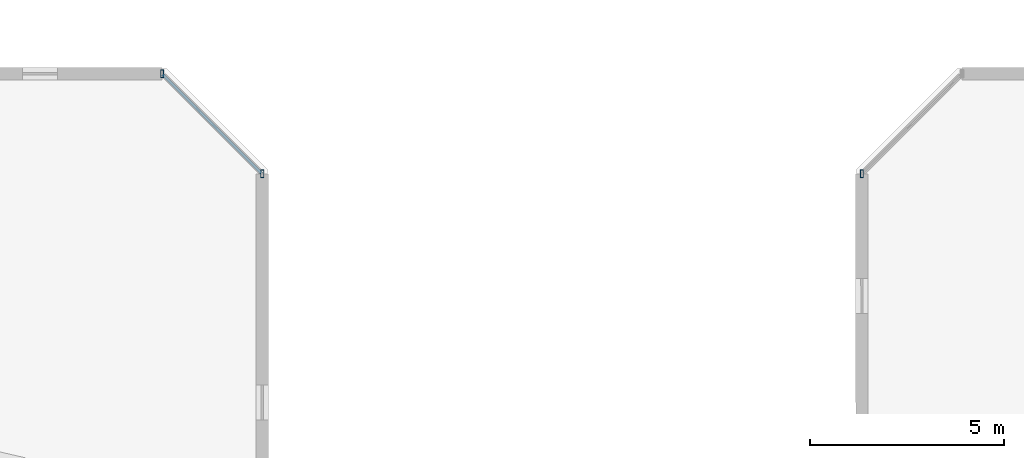
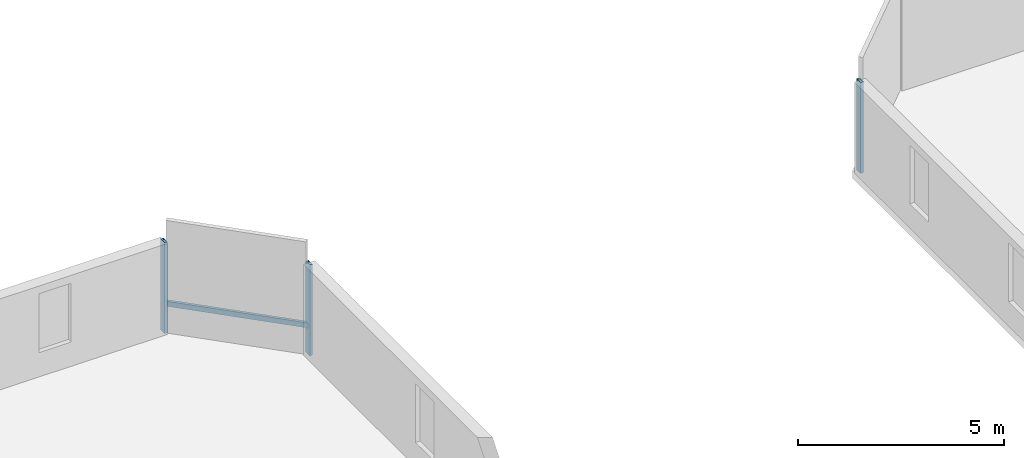
# One storey, part 10 of 32: 4 members, 2 elements without a shape of their own.
"""IFC4 building model written with IfcOpenShell, lengths in metres."""

from ifc_helpers import new_model, si_unit, direction, frame, origin, origin_2d, place, context, subcontext, project, spatial, hollow_rectangle, extrude, material, material_profile, profile_set, type_object, element, aggregate, save


model = new_model("IFC4")

# Units and contexts
model_context = context("Model", 3, precision=1e-05, world=origin(), true_north=direction((0.0, 1.0)))
body_context = subcontext(model_context, "Body", "Model", "MODEL_VIEW")
ifc_project = project(units=[si_unit("LENGTHUNIT", "METRE"), si_unit("AREAUNIT", "SQUARE_METRE"), si_unit("VOLUMEUNIT", "CUBIC_METRE"), si_unit("PLANEANGLEUNIT", "RADIAN"), si_unit("MASSUNIT", "GRAM", prefix="KILO")], contexts=[model_context])

# Site, building, storey
site_placement = place(None, origin())
site = spatial("IfcSite", under=ifc_project, at=site_placement, CompositionType="ELEMENT")
building_placement = place(site_placement, origin())
building = spatial("IfcBuilding", under=site, at=building_placement, Name="Thornwick Lancets Civic Towers", CompositionType="ELEMENT")
storey_placement = place(building_placement, frame((0.0, 0.0, 178.5)))
storey = spatial("IfcBuildingStorey", under=building, at=storey_placement, Name="L47", CompositionType="ELEMENT", Elevation=178.5)

# Curtain wall, members
ifc_material_1 = material(Name="Mid-zone chamfered-corner unitised glass curtain wall", Category="glass")
curtain_wall_type = type_object("IfcCurtainWallType", Name="CW_SYS_04", PredefinedType="NOTDEFINED", material=ifc_material_1)
curtain_wall_1_placement = place(storey_placement, origin())
curtain_wall_1 = element("IfcCurtainWall", 1, at=curtain_wall_1_placement, inside=storey, type_object=curtain_wall_type, Name="L47 Curtain Wall CW-L47-A-E3", PredefinedType="NOTDEFINED")
ifc_material_2 = material(Name="Thermally broken bronze aluminium S355", Category="steel")
ifc_material_profile_1 = material_profile(ifc_material_2, hollow_rectangle(XDim=0.080078125, YDim=0.199951171875, WallThickness=0.006103515625, at=origin_2d()), Name="RHS 200x80x6")
ifc_profile_set_1 = profile_set([ifc_material_profile_1], Name="Thermally broken bronze aluminium S355")
member_type_1 = type_object("IfcMemberType", Name="CW_MUL_200", PredefinedType="MULLION", material=ifc_profile_set_1)
member_1_placement = place(storey_placement, frame((49.2646484375, 48.181396484375, 0.0), z_axis=(0.0, 0.0, 1.0), x_axis=(1.0, 0.0, 0.0)))
member_1 = element("IfcMember", 2, at=member_1_placement, type_object=member_type_1, Name="CW-L47-A-E3 Mullion 0", PredefinedType="MULLION", context=body_context, shape_type="SweptSolid", body=[
    extrude(hollow_rectangle(XDim=0.080078125, YDim=0.199951171875, WallThickness=0.006103515625, at=origin_2d()), origin(), (0.0, 0.0, 1.0), 2.699951171875),
])
member_2_placement = place(storey_placement, frame((46.681396484375, 50.7646484375, 0.0), z_axis=(0.0, 0.0, 1.0), x_axis=(1.0, 0.0, 0.0)))
member_2 = element("IfcMember", 3, at=member_2_placement, type_object=member_type_1, Name="CW-L47-A-E3 Mullion 1", PredefinedType="MULLION", context=body_context, shape_type="SweptSolid", body=[
    extrude(hollow_rectangle(XDim=0.080078125, YDim=0.199951171875, WallThickness=0.006103515625, at=origin_2d()), origin(), (0.0, 0.0, 1.0), 2.699951171875),
])

# Curtain wall, member
curtain_wall_2_placement = place(storey_placement, origin())
curtain_wall_2 = element("IfcCurtainWall", 4, at=curtain_wall_2_placement, inside=storey, type_object=curtain_wall_type, Name="L47 Curtain Wall CW-L47-B-E5", PredefinedType="NOTDEFINED")
member_3_placement = place(storey_placement, frame((64.7353515625, 48.181396484375, 0.0), z_axis=(0.0, 0.0, 1.0), x_axis=(1.0, 0.0, 0.0)))
member_3 = element("IfcMember", 5, at=member_3_placement, type_object=member_type_1, Name="CW-L47-B-E5 Mullion 1", PredefinedType="MULLION", context=body_context, shape_type="SweptSolid", body=[
    extrude(hollow_rectangle(XDim=0.080078125, YDim=0.199951171875, WallThickness=0.006103515625, at=origin_2d()), origin(), (0.0, 0.0, 1.0), 2.699951171875),
])
aggregate(curtain_wall_2, [member_3])

# Member
ifc_material_profile_2 = material_profile(ifc_material_2, hollow_rectangle(XDim=0.074951171875, YDim=0.14990234375, WallThickness=0.0048828125, at=origin_2d()), Name="RHS 150x75x5")
ifc_profile_set_2 = profile_set([ifc_material_profile_2], Name="Thermally broken bronze aluminium S355")
member_type_2 = type_object("IfcMemberType", Name="CW_TRN_150", PredefinedType="USERDEFINED", material=ifc_profile_set_2)
member_4_placement = place(storey_placement, frame((49.25048828125, 48.195556640625, 0.85009765625), z_axis=(-0.707106781187, 0.707106781187, 0.0), x_axis=(-0.707106781187, -0.707106781187, 0.0)))
member_4 = element("IfcMember", 6, at=member_4_placement, type_object=member_type_2, Name="CW-L47-A-E3 Transom 0", ObjectType="TRANSOM", PredefinedType="USERDEFINED", context=body_context, shape_type="SweptSolid", body=[
    extrude(hollow_rectangle(XDim=0.074951171875, YDim=0.14990234375, WallThickness=0.0048828125, at=origin_2d()), origin(), (0.0, 0.0, 1.0), 3.61328125),
])

aggregate(curtain_wall_1, [member_1, member_2, member_4])

save(model, "model.ifc")
